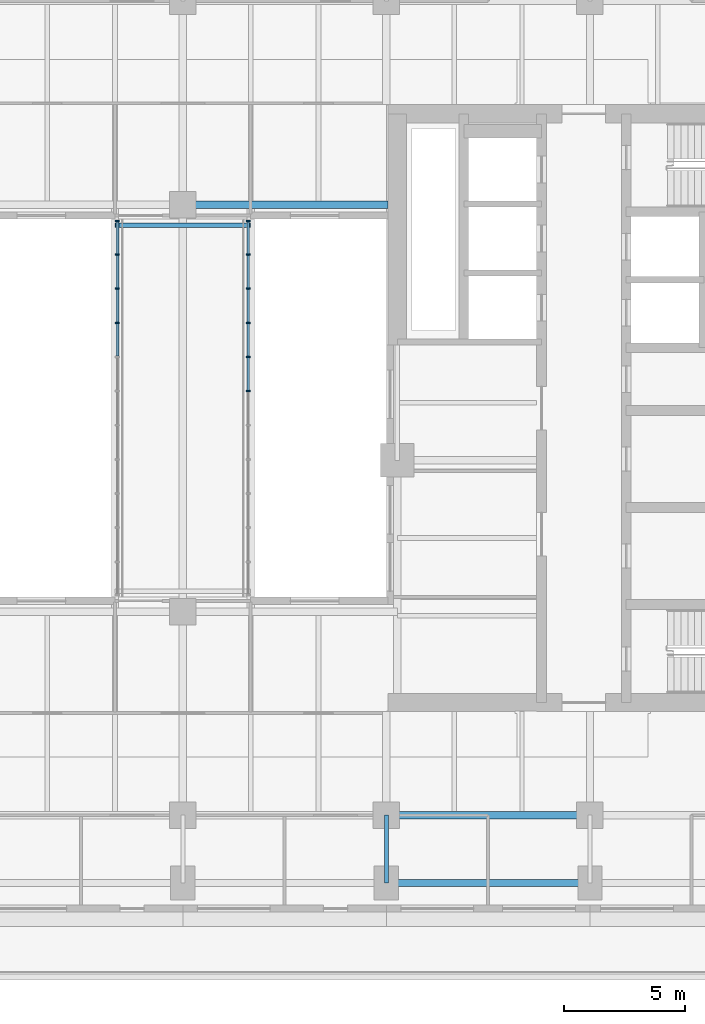
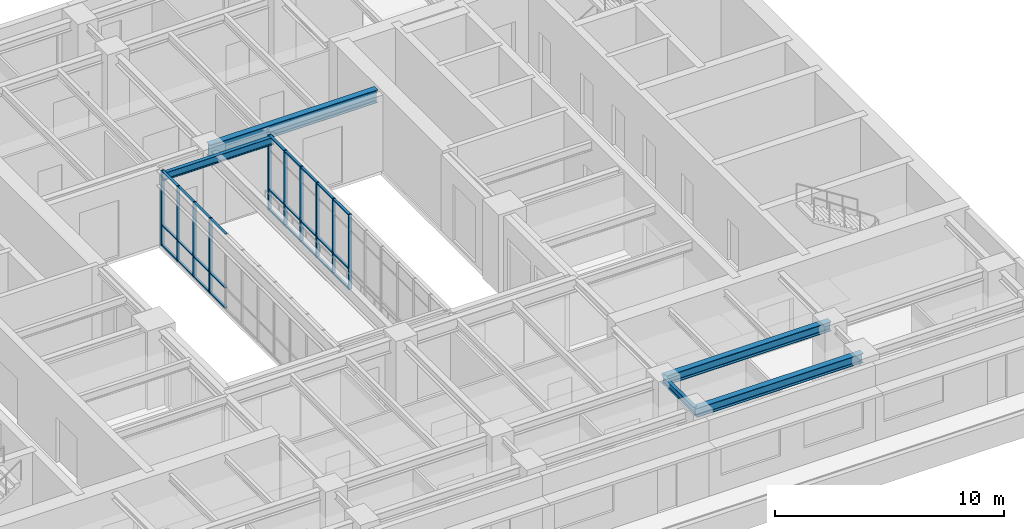
# One storey, part 3 of 15: 37 members, 5 beams, 2 elements without a shape of their own.
"""IFC4 building model written with IfcOpenShell, lengths in metres."""

from ifc_helpers import new_model, si_unit, direction, frame, origin, origin_2d, place, context, subcontext, project, spatial, rectangle, i_section, extrude, material, material_profile, profile_set, type_object, element, aggregate, save


model = new_model("IFC4")

# Units and contexts
model_context = context("Model", 3, precision=1e-05, world=origin(), true_north=direction((0.0, 1.0)))
body_context = subcontext(model_context, "Body", "Model", "MODEL_VIEW")
ifc_project = project(units=[si_unit("LENGTHUNIT", "METRE"), si_unit("AREAUNIT", "SQUARE_METRE"), si_unit("VOLUMEUNIT", "CUBIC_METRE"), si_unit("PLANEANGLEUNIT", "RADIAN"), si_unit("MASSUNIT", "GRAM", prefix="KILO")], contexts=[model_context])

# Site, building, storey
site_placement = place(None, origin())
site = spatial("IfcSite", under=ifc_project, at=site_placement, CompositionType="ELEMENT")
building_placement = place(site_placement, origin())
building = spatial("IfcBuilding", under=site, at=building_placement, Name="Claustro Exchange Tower", CompositionType="ELEMENT")
storey_placement = place(building_placement, frame((0.0, 0.0, 173.39990234375)))
storey = spatial("IfcBuildingStorey", under=building, at=storey_placement, Name="L39", CompositionType="ELEMENT", Elevation=173.39990234375)

# Beams
ifc_material_1 = material(Name="Steel S355", Category="steel")
ifc_material_profile_1 = material_profile(ifc_material_1, i_section(OverallWidth=0.300048828125, OverallDepth=0.68994140625, WebThickness=0.014404296875, FlangeThickness=0.027099609375, FilletRadius=0.027099609375, at=origin_2d()), Name="HE 700 A")
ifc_profile_set_1 = profile_set([ifc_material_profile_1], Name="Steel S355")
beam_type_1 = type_object("IfcBeamType", Name="B13 HE 700 A light well edge girder", PredefinedType="BEAM", material=ifc_profile_set_1)
beam_1_placement = place(storey_placement, frame((25.199951171875, 33.60009765625, 3.705078125), z_axis=(1.0, 0.0, 0.0), x_axis=(0.0, 1.0, 0.0)))
element("IfcBeam", 1, at=beam_1_placement, inside=storey, type_object=beam_type_1, Name="Beam B13 L40", PredefinedType="BEAM", context=body_context, shape_type="SweptSolid", body=[
    extrude(i_section(OverallWidth=0.300048828125, OverallDepth=0.68994140625, WebThickness=0.014404296875, FlangeThickness=0.027099609375, FilletRadius=0.027099609375, at=origin_2d()), origin(), (0.0, 0.0, 1.0), 8.47509765625),
])
ifc_material_2 = material(Name="Steel S355", Category="steel")
ifc_material_profile_2 = material_profile(ifc_material_2, i_section(OverallWidth=0.169921875, OverallDepth=0.360107421875, WebThickness=0.008056640625, FlangeThickness=0.0126953125, FilletRadius=0.01806640625, at=origin_2d()), Name="IPE 360")
ifc_profile_set_2 = profile_set([ifc_material_profile_2], Name="Steel S355")
beam_type_2 = type_object("IfcBeamType", Name="B16 IPE 360 short-span beam", PredefinedType="BEAM", material=ifc_profile_set_2)
beam_2_placement = place(storey_placement, frame((33.60009765625, 5.60009765625, 3.8701171875), z_axis=(0.0, 1.0, 0.0), x_axis=(-1.0, 0.0, 0.0)))
element("IfcBeam", 2, at=beam_2_placement, inside=storey, type_object=beam_type_2, Name="Beam B16 L40", PredefinedType="BEAM", context=body_context, shape_type="SweptSolid", body=[
    extrude(i_section(OverallWidth=0.169921875, OverallDepth=0.360107421875, WebThickness=0.008056640625, FlangeThickness=0.0126953125, FilletRadius=0.01806640625, at=origin_2d()), origin(), (0.0, 0.0, 1.0), 2.7998046875),
])
ifc_material_3 = material(Name="Steel S355", Category="steel")
ifc_material_profile_3 = material_profile(ifc_material_3, i_section(OverallWidth=0.179931640625, OverallDepth=0.39990234375, WebThickness=0.008544921875, FlangeThickness=0.013427734375, FilletRadius=0.02099609375, at=origin_2d()), Name="IPE 400")
ifc_profile_set_3 = profile_set([ifc_material_profile_3], Name="Steel S355")
beam_type_3 = type_object("IfcBeamType", Name="B21 IPE 400 sky bridge end trimmer", PredefinedType="BEAM", material=ifc_profile_set_3)
beam_3_placement = place(storey_placement, frame((22.39990234375, 32.75, 3.800048828125), z_axis=(1.0, 0.0, 0.0), x_axis=(0.0, 1.0, 0.0)))
element("IfcBeam", 3, at=beam_3_placement, inside=storey, type_object=beam_type_3, Name="Sky bridge end trimmer B21 L39", PredefinedType="BEAM", context=body_context, shape_type="SweptSolid", body=[
    extrude(i_section(OverallWidth=0.179931640625, OverallDepth=0.39990234375, WebThickness=0.008544921875, FlangeThickness=0.013427734375, FilletRadius=0.02099609375, at=origin_2d()), origin(), (0.0, 0.0, 1.0), 5.60009765625),
])
ifc_material_4 = material(Name="Steel S355", Category="steel")
ifc_material_profile_4 = material_profile(ifc_material_4, i_section(OverallWidth=0.300048828125, OverallDepth=0.5, WebThickness=0.014404296875, FlangeThickness=0.028076171875, FilletRadius=0.027099609375, at=origin_2d()), Name="HE 500 B")
ifc_profile_set_4 = profile_set([ifc_material_profile_4], Name="Steel S355")
beam_type_4 = type_object("IfcBeamType", Name="B7 HE 500 B floor girder", PredefinedType="BEAM", material=ifc_profile_set_4)
beam_4_placement = place(storey_placement, frame((33.60009765625, 8.39990234375, 3.800048828125), z_axis=(1.0, 0.0, 0.0), x_axis=(0.0, 1.0, 0.0)))
element("IfcBeam", 4, at=beam_4_placement, inside=storey, type_object=beam_type_4, Name="Beam B7 L40", PredefinedType="BEAM", context=body_context, shape_type="SweptSolid", body=[
    extrude(i_section(OverallWidth=0.300048828125, OverallDepth=0.5, WebThickness=0.014404296875, FlangeThickness=0.028076171875, FilletRadius=0.027099609375, at=origin_2d()), origin(), (0.0, 0.0, 1.0), 8.39990234375),
])
ifc_material_5 = material(Name="Steel S355", Category="steel")
ifc_material_profile_5 = material_profile(ifc_material_5, i_section(OverallWidth=0.300048828125, OverallDepth=0.489990234375, WebThickness=0.011962890625, FlangeThickness=0.02294921875, FilletRadius=0.027099609375, at=origin_2d()), Name="HE 500 A")
ifc_profile_set_5 = profile_set([ifc_material_profile_5], Name="Steel S355")
beam_type_5 = type_object("IfcBeamType", Name="B9 HE 500 A spandrel edge girder", PredefinedType="SPANDREL", material=ifc_profile_set_5)
beam_5_placement = place(storey_placement, frame((33.60009765625, 5.60009765625, 3.80517578125), z_axis=(1.0, 0.0, 0.0), x_axis=(0.0, 1.0, 0.0)))
element("IfcBeam", 5, at=beam_5_placement, inside=storey, type_object=beam_type_5, Name="Beam B9 L40", PredefinedType="SPANDREL", context=body_context, shape_type="SweptSolid", body=[
    extrude(i_section(OverallWidth=0.300048828125, OverallDepth=0.489990234375, WebThickness=0.011962890625, FlangeThickness=0.02294921875, FilletRadius=0.027099609375, at=origin_2d()), origin(), (0.0, 0.0, 1.0), 8.39990234375),
])

# Curtain wall, members
ifc_material_6 = material(Name="Aluminium frame, clear double glazing", Category="aluminium")
curtain_wall_type = type_object("IfcCurtainWallType", Name="CW2 sky bridge curtain wall", PredefinedType="USERDEFINED", material=ifc_material_6)
curtain_wall_1_placement = place(storey_placement, origin())
curtain_wall_1 = element("IfcCurtainWall", 6, at=curtain_wall_1_placement, inside=storey, type_object=curtain_wall_type, Name="Curtain wall CW2 L39", ObjectType="STICK CURTAIN WALL", PredefinedType="USERDEFINED")
ifc_material_7 = material(Name="Aluminium mullion", Category="aluminium")
ifc_material_profile_6 = material_profile(ifc_material_7, rectangle(XDim=0.159912109375, YDim=0.06005859375, at=origin_2d()), Name="CW2-M 60x160")
ifc_profile_set_6 = profile_set([ifc_material_profile_6], Name="Aluminium mullion")
member_type_1 = type_object("IfcMemberType", Name="CW2-M 60 x 160 mullion", PredefinedType="MULLION", material=ifc_profile_set_6)
member_1_placement = place(storey_placement, frame((22.5, 28.72265625, 0.0), z_axis=(0.0, 0.0, 1.0), x_axis=(-1.0, 0.0, 0.0)))
member_1 = element("IfcMember", 7, at=member_1_placement, type_object=member_type_1, Name="CW2 mullion 9", PredefinedType="MULLION", context=body_context, shape_type="SweptSolid", body=[
    extrude(rectangle(XDim=0.159912109375, YDim=0.06005859375, at=origin_2d()), origin(), (0.0, 0.0, 1.0), 4.0),
])
member_2_placement = place(storey_placement, frame((22.5, 30.1318359375, 0.0), z_axis=(0.0, 0.0, 1.0), x_axis=(-1.0, 0.0, 0.0)))
member_2 = element("IfcMember", 8, at=member_2_placement, type_object=member_type_1, Name="CW2 mullion 10", PredefinedType="MULLION", context=body_context, shape_type="SweptSolid", body=[
    extrude(rectangle(XDim=0.159912109375, YDim=0.06005859375, at=origin_2d()), origin(), (0.0, 0.0, 1.0), 4.0),
])
member_3_placement = place(storey_placement, frame((22.5, 31.541015625, 0.0), z_axis=(0.0, 0.0, 1.0), x_axis=(-1.0, 0.0, 0.0)))
member_3 = element("IfcMember", 9, at=member_3_placement, type_object=member_type_1, Name="CW2 mullion 11", PredefinedType="MULLION", context=body_context, shape_type="SweptSolid", body=[
    extrude(rectangle(XDim=0.159912109375, YDim=0.06005859375, at=origin_2d()), origin(), (0.0, 0.0, 1.0), 4.0),
])
member_4_placement = place(storey_placement, frame((22.5, 32.919921875, 0.0), z_axis=(0.0, 0.0, 1.0), x_axis=(-1.0, 0.0, 0.0)))
member_4 = element("IfcMember", 10, at=member_4_placement, type_object=member_type_1, Name="CW2 mullion 12", PredefinedType="MULLION", context=body_context, shape_type="SweptSolid", body=[
    extrude(rectangle(XDim=0.159912109375, YDim=0.06005859375, at=origin_2d()), origin(), (0.0, 0.0, 1.0), 4.0),
])

curtain_wall_2_placement = place(storey_placement, origin())
curtain_wall_2 = element("IfcCurtainWall", 11, at=curtain_wall_2_placement, inside=storey, type_object=curtain_wall_type, Name="Curtain wall CW2 L39", ObjectType="STICK CURTAIN WALL", PredefinedType="USERDEFINED")
member_5_placement = place(storey_placement, frame((27.89990234375, 25.904541015625, 0.0), z_axis=(0.0, 0.0, 1.0), x_axis=(-1.0, 0.0, 0.0)))
member_5 = element("IfcMember", 12, at=member_5_placement, type_object=member_type_1, Name="CW2 mullion 7", PredefinedType="MULLION", context=body_context, shape_type="SweptSolid", body=[
    extrude(rectangle(XDim=0.159912109375, YDim=0.06005859375, at=origin_2d()), origin(), (0.0, 0.0, 1.0), 4.0),
])
member_6_placement = place(storey_placement, frame((27.89990234375, 27.313720703125, 0.0), z_axis=(0.0, 0.0, 1.0), x_axis=(-1.0, 0.0, 0.0)))
member_6 = element("IfcMember", 13, at=member_6_placement, type_object=member_type_1, Name="CW2 mullion 8", PredefinedType="MULLION", context=body_context, shape_type="SweptSolid", body=[
    extrude(rectangle(XDim=0.159912109375, YDim=0.06005859375, at=origin_2d()), origin(), (0.0, 0.0, 1.0), 4.0),
])
member_7_placement = place(storey_placement, frame((27.89990234375, 28.72265625, 0.0), z_axis=(0.0, 0.0, 1.0), x_axis=(-1.0, 0.0, 0.0)))
member_7 = element("IfcMember", 14, at=member_7_placement, type_object=member_type_1, Name="CW2 mullion 9", PredefinedType="MULLION", context=body_context, shape_type="SweptSolid", body=[
    extrude(rectangle(XDim=0.159912109375, YDim=0.06005859375, at=origin_2d()), origin(), (0.0, 0.0, 1.0), 4.0),
])
member_8_placement = place(storey_placement, frame((27.89990234375, 30.1318359375, 0.0), z_axis=(0.0, 0.0, 1.0), x_axis=(-1.0, 0.0, 0.0)))
member_8 = element("IfcMember", 15, at=member_8_placement, type_object=member_type_1, Name="CW2 mullion 10", PredefinedType="MULLION", context=body_context, shape_type="SweptSolid", body=[
    extrude(rectangle(XDim=0.159912109375, YDim=0.06005859375, at=origin_2d()), origin(), (0.0, 0.0, 1.0), 4.0),
])
member_9_placement = place(storey_placement, frame((27.89990234375, 31.541015625, 0.0), z_axis=(0.0, 0.0, 1.0), x_axis=(-1.0, 0.0, 0.0)))
member_9 = element("IfcMember", 16, at=member_9_placement, type_object=member_type_1, Name="CW2 mullion 11", PredefinedType="MULLION", context=body_context, shape_type="SweptSolid", body=[
    extrude(rectangle(XDim=0.159912109375, YDim=0.06005859375, at=origin_2d()), origin(), (0.0, 0.0, 1.0), 4.0),
])
member_10_placement = place(storey_placement, frame((27.89990234375, 32.919921875, 0.0), z_axis=(0.0, 0.0, 1.0), x_axis=(-1.0, 0.0, 0.0)))
member_10 = element("IfcMember", 17, at=member_10_placement, type_object=member_type_1, Name="CW2 mullion 12", PredefinedType="MULLION", context=body_context, shape_type="SweptSolid", body=[
    extrude(rectangle(XDim=0.159912109375, YDim=0.06005859375, at=origin_2d()), origin(), (0.0, 0.0, 1.0), 4.0),
])

# Member
ifc_material_8 = material(Name="Aluminium transom", Category="aluminium")
ifc_material_profile_7 = material_profile(ifc_material_8, rectangle(XDim=0.1201171875, YDim=0.06005859375, at=origin_2d()), Name="CW2-T 60x120")
ifc_profile_set_7 = profile_set([ifc_material_profile_7], Name="Aluminium transom")
member_type_2 = type_object("IfcMemberType", Name="CW2-T 60 x 120 transom", PredefinedType="USERDEFINED", material=ifc_profile_set_7)
member_11_placement = place(storey_placement, frame((22.5, 27.34375, 0.030029296875), z_axis=(0.0, 1.0, 0.0), x_axis=(-1.0, 0.0, 0.0)))
member_11 = element("IfcMember", 18, at=member_11_placement, type_object=member_type_2, Name="CW2 transom 8.1", ObjectType="TRANSOM", PredefinedType="USERDEFINED", context=body_context, shape_type="SweptSolid", body=[
    extrude(rectangle(XDim=0.1201171875, YDim=0.06005859375, at=origin_2d()), origin(), (0.0, 0.0, 1.0), 1.348876953125),
])

member_12_placement = place(storey_placement, frame((22.5, 27.34375, 1.10009765625), z_axis=(0.0, 1.0, 0.0), x_axis=(-1.0, 0.0, 0.0)))
member_12 = element("IfcMember", 19, at=member_12_placement, type_object=member_type_2, Name="CW2 transom 8.2", ObjectType="TRANSOM", PredefinedType="USERDEFINED", context=body_context, shape_type="SweptSolid", body=[
    extrude(rectangle(XDim=0.1201171875, YDim=0.06005859375, at=origin_2d()), origin(), (0.0, 0.0, 1.0), 1.348876953125),
])

member_13_placement = place(storey_placement, frame((22.5, 27.34375, 3.97021484375), z_axis=(0.0, 1.0, 0.0), x_axis=(-1.0, 0.0, 0.0)))
member_13 = element("IfcMember", 20, at=member_13_placement, type_object=member_type_2, Name="CW2 transom 8.3", ObjectType="TRANSOM", PredefinedType="USERDEFINED", context=body_context, shape_type="SweptSolid", body=[
    extrude(rectangle(XDim=0.1201171875, YDim=0.06005859375, at=origin_2d()), origin(), (0.0, 0.0, 1.0), 1.348876953125),
])

member_14_placement = place(storey_placement, frame((22.5, 28.752685546875, 0.030029296875), z_axis=(0.0, 1.0, 0.0), x_axis=(-1.0, 0.0, 0.0)))
member_14 = element("IfcMember", 21, at=member_14_placement, type_object=member_type_2, Name="CW2 transom 9.1", ObjectType="TRANSOM", PredefinedType="USERDEFINED", context=body_context, shape_type="SweptSolid", body=[
    extrude(rectangle(XDim=0.1201171875, YDim=0.06005859375, at=origin_2d()), origin(), (0.0, 0.0, 1.0), 1.34912109375),
])

member_15_placement = place(storey_placement, frame((22.5, 28.752685546875, 1.10009765625), z_axis=(0.0, 1.0, 0.0), x_axis=(-1.0, 0.0, 0.0)))
member_15 = element("IfcMember", 22, at=member_15_placement, type_object=member_type_2, Name="CW2 transom 9.2", ObjectType="TRANSOM", PredefinedType="USERDEFINED", context=body_context, shape_type="SweptSolid", body=[
    extrude(rectangle(XDim=0.1201171875, YDim=0.06005859375, at=origin_2d()), origin(), (0.0, 0.0, 1.0), 1.34912109375),
])

member_16_placement = place(storey_placement, frame((22.5, 28.752685546875, 3.97021484375), z_axis=(0.0, 1.0, 0.0), x_axis=(-1.0, 0.0, 0.0)))
member_16 = element("IfcMember", 23, at=member_16_placement, type_object=member_type_2, Name="CW2 transom 9.3", ObjectType="TRANSOM", PredefinedType="USERDEFINED", context=body_context, shape_type="SweptSolid", body=[
    extrude(rectangle(XDim=0.1201171875, YDim=0.06005859375, at=origin_2d()), origin(), (0.0, 0.0, 1.0), 1.34912109375),
])

member_17_placement = place(storey_placement, frame((22.5, 30.161865234375, 0.030029296875), z_axis=(0.0, 1.0, 0.0), x_axis=(-1.0, 0.0, 0.0)))
member_17 = element("IfcMember", 24, at=member_17_placement, type_object=member_type_2, Name="CW2 transom 10.1", ObjectType="TRANSOM", PredefinedType="USERDEFINED", context=body_context, shape_type="SweptSolid", body=[
    extrude(rectangle(XDim=0.1201171875, YDim=0.06005859375, at=origin_2d()), origin(), (0.0, 0.0, 1.0), 1.34912109375),
])

member_18_placement = place(storey_placement, frame((22.5, 30.161865234375, 1.10009765625), z_axis=(0.0, 1.0, 0.0), x_axis=(-1.0, 0.0, 0.0)))
member_18 = element("IfcMember", 25, at=member_18_placement, type_object=member_type_2, Name="CW2 transom 10.2", ObjectType="TRANSOM", PredefinedType="USERDEFINED", context=body_context, shape_type="SweptSolid", body=[
    extrude(rectangle(XDim=0.1201171875, YDim=0.06005859375, at=origin_2d()), origin(), (0.0, 0.0, 1.0), 1.34912109375),
])

member_19_placement = place(storey_placement, frame((22.5, 30.161865234375, 3.97021484375), z_axis=(0.0, 1.0, 0.0), x_axis=(-1.0, 0.0, 0.0)))
member_19 = element("IfcMember", 26, at=member_19_placement, type_object=member_type_2, Name="CW2 transom 10.3", ObjectType="TRANSOM", PredefinedType="USERDEFINED", context=body_context, shape_type="SweptSolid", body=[
    extrude(rectangle(XDim=0.1201171875, YDim=0.06005859375, at=origin_2d()), origin(), (0.0, 0.0, 1.0), 1.34912109375),
])

member_20_placement = place(storey_placement, frame((22.5, 31.57080078125, 0.030029296875), z_axis=(0.0, 1.0, 0.0), x_axis=(-1.0, 0.0, 0.0)))
member_20 = element("IfcMember", 27, at=member_20_placement, type_object=member_type_2, Name="CW2 transom 11.1", ObjectType="TRANSOM", PredefinedType="USERDEFINED", context=body_context, shape_type="SweptSolid", body=[
    extrude(rectangle(XDim=0.1201171875, YDim=0.06005859375, at=origin_2d()), origin(), (0.0, 0.0, 1.0), 1.319091796875),
])

member_21_placement = place(storey_placement, frame((22.5, 31.57080078125, 1.10009765625), z_axis=(0.0, 1.0, 0.0), x_axis=(-1.0, 0.0, 0.0)))
member_21 = element("IfcMember", 28, at=member_21_placement, type_object=member_type_2, Name="CW2 transom 11.2", ObjectType="TRANSOM", PredefinedType="USERDEFINED", context=body_context, shape_type="SweptSolid", body=[
    extrude(rectangle(XDim=0.1201171875, YDim=0.06005859375, at=origin_2d()), origin(), (0.0, 0.0, 1.0), 1.319091796875),
])

member_22_placement = place(storey_placement, frame((22.5, 31.57080078125, 3.97021484375), z_axis=(0.0, 1.0, 0.0), x_axis=(-1.0, 0.0, 0.0)))
member_22 = element("IfcMember", 29, at=member_22_placement, type_object=member_type_2, Name="CW2 transom 11.3", ObjectType="TRANSOM", PredefinedType="USERDEFINED", context=body_context, shape_type="SweptSolid", body=[
    extrude(rectangle(XDim=0.1201171875, YDim=0.06005859375, at=origin_2d()), origin(), (0.0, 0.0, 1.0), 1.319091796875),
])

aggregate(curtain_wall_1, [member_1, member_2, member_3, member_4, member_11, member_12, member_13, member_14, member_15, member_16, member_17, member_18, member_19, member_20, member_21, member_22])

member_23_placement = place(storey_placement, frame((27.89990234375, 25.9345703125, 0.030029296875), z_axis=(0.0, 1.0, 0.0), x_axis=(-1.0, 0.0, 0.0)))
member_23 = element("IfcMember", 30, at=member_23_placement, type_object=member_type_2, Name="CW2 transom 7.1", ObjectType="TRANSOM", PredefinedType="USERDEFINED", context=body_context, shape_type="SweptSolid", body=[
    extrude(rectangle(XDim=0.1201171875, YDim=0.06005859375, at=origin_2d()), origin(), (0.0, 0.0, 1.0), 1.34912109375),
])

member_24_placement = place(storey_placement, frame((27.89990234375, 25.9345703125, 1.10009765625), z_axis=(0.0, 1.0, 0.0), x_axis=(-1.0, 0.0, 0.0)))
member_24 = element("IfcMember", 31, at=member_24_placement, type_object=member_type_2, Name="CW2 transom 7.2", ObjectType="TRANSOM", PredefinedType="USERDEFINED", context=body_context, shape_type="SweptSolid", body=[
    extrude(rectangle(XDim=0.1201171875, YDim=0.06005859375, at=origin_2d()), origin(), (0.0, 0.0, 1.0), 1.34912109375),
])

member_25_placement = place(storey_placement, frame((27.89990234375, 25.9345703125, 3.97021484375), z_axis=(0.0, 1.0, 0.0), x_axis=(-1.0, 0.0, 0.0)))
member_25 = element("IfcMember", 32, at=member_25_placement, type_object=member_type_2, Name="CW2 transom 7.3", ObjectType="TRANSOM", PredefinedType="USERDEFINED", context=body_context, shape_type="SweptSolid", body=[
    extrude(rectangle(XDim=0.1201171875, YDim=0.06005859375, at=origin_2d()), origin(), (0.0, 0.0, 1.0), 1.34912109375),
])

member_26_placement = place(storey_placement, frame((27.89990234375, 27.34375, 0.030029296875), z_axis=(0.0, 1.0, 0.0), x_axis=(-1.0, 0.0, 0.0)))
member_26 = element("IfcMember", 33, at=member_26_placement, type_object=member_type_2, Name="CW2 transom 8.1", ObjectType="TRANSOM", PredefinedType="USERDEFINED", context=body_context, shape_type="SweptSolid", body=[
    extrude(rectangle(XDim=0.1201171875, YDim=0.06005859375, at=origin_2d()), origin(), (0.0, 0.0, 1.0), 1.348876953125),
])

member_27_placement = place(storey_placement, frame((27.89990234375, 27.34375, 1.10009765625), z_axis=(0.0, 1.0, 0.0), x_axis=(-1.0, 0.0, 0.0)))
member_27 = element("IfcMember", 34, at=member_27_placement, type_object=member_type_2, Name="CW2 transom 8.2", ObjectType="TRANSOM", PredefinedType="USERDEFINED", context=body_context, shape_type="SweptSolid", body=[
    extrude(rectangle(XDim=0.1201171875, YDim=0.06005859375, at=origin_2d()), origin(), (0.0, 0.0, 1.0), 1.348876953125),
])

member_28_placement = place(storey_placement, frame((27.89990234375, 27.34375, 3.97021484375), z_axis=(0.0, 1.0, 0.0), x_axis=(-1.0, 0.0, 0.0)))
member_28 = element("IfcMember", 35, at=member_28_placement, type_object=member_type_2, Name="CW2 transom 8.3", ObjectType="TRANSOM", PredefinedType="USERDEFINED", context=body_context, shape_type="SweptSolid", body=[
    extrude(rectangle(XDim=0.1201171875, YDim=0.06005859375, at=origin_2d()), origin(), (0.0, 0.0, 1.0), 1.348876953125),
])

member_29_placement = place(storey_placement, frame((27.89990234375, 28.752685546875, 0.030029296875), z_axis=(0.0, 1.0, 0.0), x_axis=(-1.0, 0.0, 0.0)))
member_29 = element("IfcMember", 36, at=member_29_placement, type_object=member_type_2, Name="CW2 transom 9.1", ObjectType="TRANSOM", PredefinedType="USERDEFINED", context=body_context, shape_type="SweptSolid", body=[
    extrude(rectangle(XDim=0.1201171875, YDim=0.06005859375, at=origin_2d()), origin(), (0.0, 0.0, 1.0), 1.34912109375),
])

member_30_placement = place(storey_placement, frame((27.89990234375, 28.752685546875, 1.10009765625), z_axis=(0.0, 1.0, 0.0), x_axis=(-1.0, 0.0, 0.0)))
member_30 = element("IfcMember", 37, at=member_30_placement, type_object=member_type_2, Name="CW2 transom 9.2", ObjectType="TRANSOM", PredefinedType="USERDEFINED", context=body_context, shape_type="SweptSolid", body=[
    extrude(rectangle(XDim=0.1201171875, YDim=0.06005859375, at=origin_2d()), origin(), (0.0, 0.0, 1.0), 1.34912109375),
])

member_31_placement = place(storey_placement, frame((27.89990234375, 28.752685546875, 3.97021484375), z_axis=(0.0, 1.0, 0.0), x_axis=(-1.0, 0.0, 0.0)))
member_31 = element("IfcMember", 38, at=member_31_placement, type_object=member_type_2, Name="CW2 transom 9.3", ObjectType="TRANSOM", PredefinedType="USERDEFINED", context=body_context, shape_type="SweptSolid", body=[
    extrude(rectangle(XDim=0.1201171875, YDim=0.06005859375, at=origin_2d()), origin(), (0.0, 0.0, 1.0), 1.34912109375),
])

member_32_placement = place(storey_placement, frame((27.89990234375, 30.161865234375, 0.030029296875), z_axis=(0.0, 1.0, 0.0), x_axis=(-1.0, 0.0, 0.0)))
member_32 = element("IfcMember", 39, at=member_32_placement, type_object=member_type_2, Name="CW2 transom 10.1", ObjectType="TRANSOM", PredefinedType="USERDEFINED", context=body_context, shape_type="SweptSolid", body=[
    extrude(rectangle(XDim=0.1201171875, YDim=0.06005859375, at=origin_2d()), origin(), (0.0, 0.0, 1.0), 1.34912109375),
])

member_33_placement = place(storey_placement, frame((27.89990234375, 30.161865234375, 1.10009765625), z_axis=(0.0, 1.0, 0.0), x_axis=(-1.0, 0.0, 0.0)))
member_33 = element("IfcMember", 40, at=member_33_placement, type_object=member_type_2, Name="CW2 transom 10.2", ObjectType="TRANSOM", PredefinedType="USERDEFINED", context=body_context, shape_type="SweptSolid", body=[
    extrude(rectangle(XDim=0.1201171875, YDim=0.06005859375, at=origin_2d()), origin(), (0.0, 0.0, 1.0), 1.34912109375),
])

member_34_placement = place(storey_placement, frame((27.89990234375, 30.161865234375, 3.97021484375), z_axis=(0.0, 1.0, 0.0), x_axis=(-1.0, 0.0, 0.0)))
member_34 = element("IfcMember", 41, at=member_34_placement, type_object=member_type_2, Name="CW2 transom 10.3", ObjectType="TRANSOM", PredefinedType="USERDEFINED", context=body_context, shape_type="SweptSolid", body=[
    extrude(rectangle(XDim=0.1201171875, YDim=0.06005859375, at=origin_2d()), origin(), (0.0, 0.0, 1.0), 1.34912109375),
])

member_35_placement = place(storey_placement, frame((27.89990234375, 31.57080078125, 0.030029296875), z_axis=(0.0, 1.0, 0.0), x_axis=(-1.0, 0.0, 0.0)))
member_35 = element("IfcMember", 42, at=member_35_placement, type_object=member_type_2, Name="CW2 transom 11.1", ObjectType="TRANSOM", PredefinedType="USERDEFINED", context=body_context, shape_type="SweptSolid", body=[
    extrude(rectangle(XDim=0.1201171875, YDim=0.06005859375, at=origin_2d()), origin(), (0.0, 0.0, 1.0), 1.319091796875),
])

member_36_placement = place(storey_placement, frame((27.89990234375, 31.57080078125, 1.10009765625), z_axis=(0.0, 1.0, 0.0), x_axis=(-1.0, 0.0, 0.0)))
member_36 = element("IfcMember", 43, at=member_36_placement, type_object=member_type_2, Name="CW2 transom 11.2", ObjectType="TRANSOM", PredefinedType="USERDEFINED", context=body_context, shape_type="SweptSolid", body=[
    extrude(rectangle(XDim=0.1201171875, YDim=0.06005859375, at=origin_2d()), origin(), (0.0, 0.0, 1.0), 1.319091796875),
])

member_37_placement = place(storey_placement, frame((27.89990234375, 31.57080078125, 3.97021484375), z_axis=(0.0, 1.0, 0.0), x_axis=(-1.0, 0.0, 0.0)))
member_37 = element("IfcMember", 44, at=member_37_placement, type_object=member_type_2, Name="CW2 transom 11.3", ObjectType="TRANSOM", PredefinedType="USERDEFINED", context=body_context, shape_type="SweptSolid", body=[
    extrude(rectangle(XDim=0.1201171875, YDim=0.06005859375, at=origin_2d()), origin(), (0.0, 0.0, 1.0), 1.319091796875),
])

aggregate(curtain_wall_2, [member_5, member_6, member_7, member_8, member_9, member_10, member_23, member_24, member_25, member_26, member_27, member_28, member_29, member_30, member_31, member_32, member_33, member_34, member_35, member_36, member_37])

save(model, "model.ifc")
